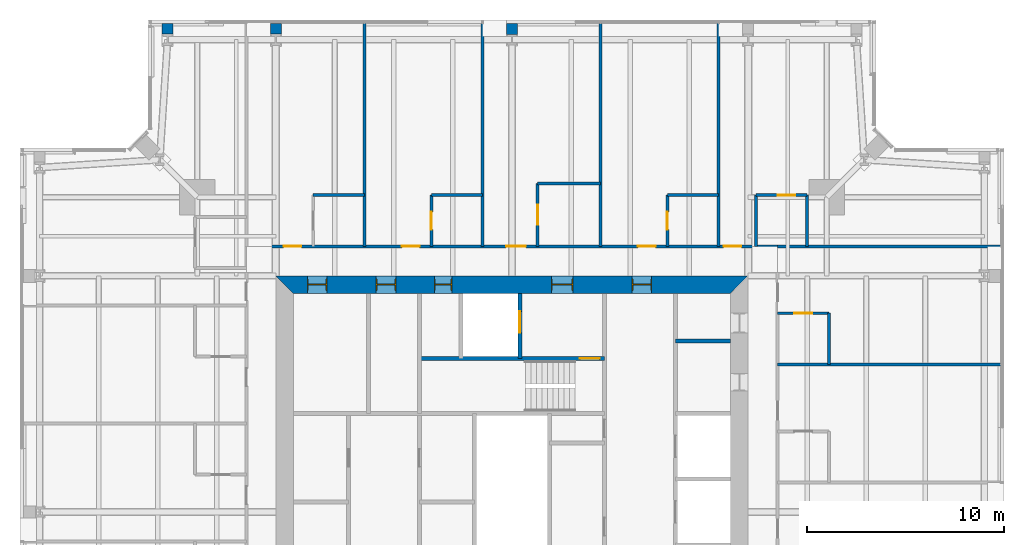
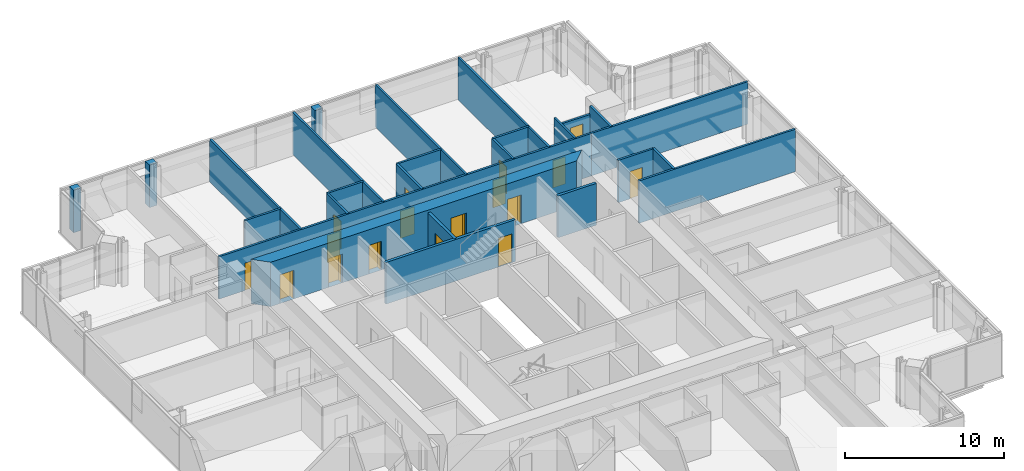
# One storey, part 14 of 20: 26 walls, 17 doors, 17 openings.
"""IFC4 building model written with IfcOpenShell, lengths in metres."""

from ifc_helpers import new_model, si_unit, direction, frame, frame_2d, origin, place, context, subcontext, project, spatial, polyline, rectangle, outline, extrude, material, layer, layer_set, type_object, element, fill, save


model = new_model("IFC4")

# Units and contexts
model_context = context("Model", 3, precision=1e-05, world=origin(), true_north=direction((0.0, 1.0)))
body_context = subcontext(model_context, "Body", "Model", "MODEL_VIEW")
ifc_project = project(units=[si_unit("LENGTHUNIT", "METRE"), si_unit("AREAUNIT", "SQUARE_METRE"), si_unit("VOLUMEUNIT", "CUBIC_METRE"), si_unit("PLANEANGLEUNIT", "RADIAN"), si_unit("MASSUNIT", "GRAM", prefix="KILO")], contexts=[model_context])

# Site, building, storey
site_placement = place(None, origin())
site = spatial("IfcSite", under=ifc_project, at=site_placement, CompositionType="ELEMENT")
building_placement = place(site_placement, origin())
building = spatial("IfcBuilding", under=site, at=building_placement, Name="Fenwick Lantern Interchange", CompositionType="ELEMENT")
storey_placement = place(building_placement, frame((0.0, 0.0, 252.60009765625)))
storey = spatial("IfcBuildingStorey", under=building, at=storey_placement, Name="L59", CompositionType="ELEMENT", Elevation=252.60009765625)

# Walls
ifc_material_1 = material(Name="Fire-rated gypsum board encasement on steel studs, 2 hour", Category="steel")
ifc_layer_1 = layer(ifc_material_1, 0.5419921875)
ifc_layer_set_1 = layer_set([ifc_layer_1], Name="COLUMN PIER 542")
wall_type_1 = type_object("IfcWallType", Name="COLUMN PIER 542", PredefinedType="PARTITIONING", material=ifc_layer_set_1)
wall_1_placement = place(storey_placement, frame((25.0, 49.81005859375, 0.0), z_axis=(0.0, 0.0, 1.0), x_axis=(0.0, -1.0, 0.0)))
element("IfcWall", 1, at=wall_1_placement, inside=storey, type_object=wall_type_1, Name="L59/W/PIER/CN3", PredefinedType="PARTITIONING", context=body_context, shape_type="SweptSolid", body=[
    extrude(rectangle(XDim=0.544677734375, YDim=0.5419921875, at=frame_2d((0.2724609375, 0.0))), origin(), (0.0, 0.0, 1.0), 3.25),
])
ifc_layer_2 = layer(ifc_material_1, 0.554931640625)
ifc_layer_set_2 = layer_set([ifc_layer_2], Name="COLUMN PIER 555")
wall_type_2 = type_object("IfcWallType", Name="COLUMN PIER 555", PredefinedType="PARTITIONING", material=ifc_layer_set_2)
for number, where, z_axis, x_axis, name in (
    (2, (13.0, 49.81005859375, 0.0), (0.0, 0.0, 1.0), (0.0, -1.0, 0.0), "L59/W/PIER/CN4"),
    (3, (7.5, 49.81005859375, 0.0), (0.0, 0.0, 1.0), (0.0, -1.0, 0.0), "L59/W/PIER/CN5"),
):
    element("IfcWall", number, at=place(storey_placement, frame(where, z_axis=z_axis, x_axis=x_axis)), inside=storey, type_object=wall_type_2, Name=name, PredefinedType="PARTITIONING", context=body_context, shape_type="SweptSolid", body=[
        extrude(rectangle(XDim=0.525634765625, YDim=0.554931640625, at=frame_2d((0.2626953125, 0.0))), origin(), (0.0, 0.0, 1.0), 3.25),
    ])

# Wall, opening, door
ifc_material_2 = material(Name="Concrete masonry ASTM C90 Grade N", Category="masonry")
ifc_layer_3 = layer(ifc_material_2, 0.199951171875)
ifc_layer_set_3 = layer_set([ifc_layer_3], Name="Concrete masonry ASTM C90 Grade N")
wall_type_3 = type_object("IfcWallType", Name="CORE PARTITION 200", PredefinedType="PARTITIONING", material=ifc_layer_set_3)
wall_2_placement = place(storey_placement, frame((25.39990234375, 36.10009765625, 0.0), z_axis=(0.0, 0.0, 1.0), x_axis=(0.0, -1.0, 0.0)))
wall_2 = element("IfcWall", 4, at=wall_2_placement, inside=storey, type_object=wall_type_3, Name="L59/W/COREN/h1", PredefinedType="PARTITIONING", context=body_context, shape_type="SweptSolid", body=[
    extrude(rectangle(XDim=3.300048828125, YDim=0.199951171875, at=frame_2d((1.64990234375, 0.0))), origin(), (0.0, 0.0, 1.0), 3.199951171875),
])
opening_1_placement = place(wall_2_placement, frame((0.89990234375, 0.0, 0.0)))
opening_1 = element("IfcOpeningElement", 5, at=opening_1_placement, cuts=wall_2, Name="Opening LD-FL2", PredefinedType="OPENING", context=body_context, shape_type="SweptSolid", body=[
    extrude(rectangle(XDim=1.10009765625, YDim=2.199951171875, at=frame_2d((0.550048828125, 1.10009765625))), frame((0.0, 0.10986328125, 0.0), z_axis=(0.0, -1.0, 0.0), x_axis=(1.0, 0.0, 0.0)), (0.0, 0.0, 1.0), 0.219970703125),
])
ifc_material_3 = material(Name="Steel door and frame", Category="steel")
door_type_1 = type_object("IfcDoorType", Name="LIFT LANDING DOOR 1100 X 2200", OperationType="DOUBLE_DOOR_SLIDING", PredefinedType="DOOR", material=ifc_material_3)
door_1_placement = place(opening_1_placement, origin())
door_1 = element("IfcDoor", 6, at=door_1_placement, inside=storey, type_object=door_type_1, Name="Lift landing door FL2", OperationType="DOUBLE_DOOR_SLIDING", OverallHeight=2.199951171875, OverallWidth=1.10009765625, PredefinedType="DOOR", context=body_context, shape_type="SweptSolid", body=[
    extrude(rectangle(XDim=1.10009765625, YDim=2.199951171875, at=frame_2d((0.550048828125, 1.10009765625))), frame((0.0, 0.02490234375, 0.0), z_axis=(0.0, -1.0, 0.0), x_axis=(1.0, 0.0, 0.0)), (0.0, 0.0, 1.0), 0.050048828125),
])
fill(opening_1, door_1)

# Wall
wall_3_placement = place(storey_placement, frame((36.10009765625, 33.699951171875, 0.0), z_axis=(0.0, 0.0, 1.0), x_axis=(-1.0, 0.0, 0.0)))
element("IfcWall", 7, at=wall_3_placement, inside=storey, type_object=wall_type_3, Name="L59/W/COREN/p1", PredefinedType="PARTITIONING", context=body_context, shape_type="SweptSolid", body=[
    extrude(rectangle(XDim=2.800048828125, YDim=0.199951171875, at=frame_2d((1.39990234375, 0.0))), origin(), (0.0, 0.0, 1.0), 3.199951171875),
])

# Wall, openings, doors
ifc_material_4 = material(Name="Concrete f'c 70 MPa", Category="concrete")
ifc_layer_4 = layer(ifc_material_4, 0.89990234375)
ifc_layer_set_4 = layer_set([ifc_layer_4], Name="CORE WALL 900")
wall_type_4 = type_object("IfcWallType", Name="CORE WALL 900", PredefinedType="SHEAR", material=ifc_layer_set_4)
wall_4_placement = place(storey_placement, frame((37.0, 36.550048828125, 0.0), z_axis=(0.0, 0.0, 1.0), x_axis=(-1.0, 0.0, 0.0)))
wall_4 = element("IfcWall", 8, at=wall_4_placement, inside=storey, type_object=wall_type_4, Name="L59/CORE/N", PredefinedType="SHEAR", context=body_context, shape_type="SweptSolid", body=[
    extrude(outline(polyline([(0.0, -0.449951171875), (24.0, -0.449951171875), (23.10009765625, 0.449951171875), (0.89990234375, 0.449951171875), (0.0, -0.449951171875)])), origin(), (0.0, 0.0, 1.0), 3.39990234375),
])
opening_2_placement = place(wall_4_placement, frame((4.89990234375, 0.0, 0.0)))
opening_2 = element("IfcOpeningElement", 9, at=opening_2_placement, cuts=wall_4, Name="Opening L59-D012", PredefinedType="OPENING", context=body_context, shape_type="SweptSolid", body=[
    extrude(rectangle(XDim=1.0, YDim=2.199951171875, at=frame_2d((0.5, 1.10009765625))), frame((0.0, 0.4599609375, 0.0), z_axis=(0.0, -1.0, 0.0), x_axis=(1.0, 0.0, 0.0)), (0.0, 0.0, 1.0), 0.919921875),
])
opening_3_placement = place(wall_4_placement, frame((8.89990234375, 0.0, 0.0)))
opening_3 = element("IfcOpeningElement", 10, at=opening_3_placement, cuts=wall_4, Name="Opening L59-D013", PredefinedType="OPENING", context=body_context, shape_type="SweptSolid", body=[
    extrude(rectangle(XDim=1.10009765625, YDim=2.199951171875, at=frame_2d((0.550048828125, 1.10009765625))), frame((0.0, 0.4599609375, 0.0), z_axis=(0.0, -1.0, 0.0), x_axis=(1.0, 0.0, 0.0)), (0.0, 0.0, 1.0), 0.919921875),
])
opening_4_placement = place(wall_4_placement, frame((15.050048828125, 0.0, 0.0)))
opening_4 = element("IfcOpeningElement", 11, at=opening_4_placement, cuts=wall_4, Name="Opening L59-D015", PredefinedType="OPENING", context=body_context, shape_type="SweptSolid", body=[
    extrude(rectangle(XDim=0.89990234375, YDim=2.199951171875, at=frame_2d((0.449951171875, 1.10009765625))), frame((0.0, 0.4599609375, 0.0), z_axis=(0.0, -1.0, 0.0), x_axis=(1.0, 0.0, 0.0)), (0.0, 0.0, 1.0), 0.919921875),
])
opening_5_placement = place(wall_4_placement, frame((17.89990234375, 0.0, 0.0)))
opening_5 = element("IfcOpeningElement", 12, at=opening_5_placement, cuts=wall_4, Name="Opening L59-D016", PredefinedType="OPENING", context=body_context, shape_type="SweptSolid", body=[
    extrude(rectangle(XDim=1.0, YDim=2.199951171875, at=frame_2d((0.5, 1.10009765625))), frame((0.0, 0.4599609375, 0.0), z_axis=(0.0, -1.0, 0.0), x_axis=(1.0, 0.0, 0.0)), (0.0, 0.0, 1.0), 0.919921875),
])
opening_6_placement = place(wall_4_placement, frame((21.39990234375, 0.0, 0.0)))
opening_6 = element("IfcOpeningElement", 13, at=opening_6_placement, cuts=wall_4, Name="Opening L59-D017", PredefinedType="OPENING", context=body_context, shape_type="SweptSolid", body=[
    extrude(rectangle(XDim=1.0, YDim=2.199951171875, at=frame_2d((0.5, 1.10009765625))), frame((0.0, 0.4599609375, 0.0), z_axis=(0.0, -1.0, 0.0), x_axis=(1.0, 0.0, 0.0)), (0.0, 0.0, 1.0), 0.919921875),
])
door_type_2 = type_object("IfcDoorType", Name="CORE LOBBY DOOR 1000 X 2200", OperationType="SINGLE_SWING_LEFT", PredefinedType="DOOR", material=ifc_material_3)
door_2_placement = place(opening_2_placement, origin())
door_2 = element("IfcDoor", 14, at=door_2_placement, inside=storey, type_object=door_type_2, Name="Core lobby door", OperationType="SINGLE_SWING_LEFT", OverallHeight=2.199951171875, OverallWidth=1.0, PredefinedType="DOOR", context=body_context, shape_type="SweptSolid", body=[
    extrude(rectangle(XDim=1.0, YDim=2.199951171875, at=frame_2d((0.5, 1.10009765625))), frame((0.0, 0.02490234375, 0.0), z_axis=(0.0, -1.0, 0.0), x_axis=(1.0, 0.0, 0.0)), (0.0, 0.0, 1.0), 0.050048828125),
    extrude(outline(polyline([(0.0, 0.0), (0.0400390625, 0.0), (0.0400390625, 2.159912109375), (0.9599609375, 2.159912109375), (0.9599609375, 0.0), (1.0, 0.0), (1.0, 2.199951171875), (0.0, 2.199951171875), (0.0, 0.0)])), frame((0.0, 0.300048828125, 0.0), z_axis=(0.0, -1.0, 0.0), x_axis=(1.0, 0.0, 0.0)), (0.0, 0.0, 1.0), 0.60009765625),
])
fill(opening_2, door_2)
door_type_3 = type_object("IfcDoorType", Name="FIRE LOBBY DOOR 1100 X 2200", OperationType="SINGLE_SWING_LEFT", PredefinedType="DOOR", material=ifc_material_3)
door_3_placement = place(opening_3_placement, origin())
door_3 = element("IfcDoor", 15, at=door_3_placement, inside=storey, type_object=door_type_3, Name="Fire lobby door", OperationType="SINGLE_SWING_LEFT", OverallHeight=2.199951171875, OverallWidth=1.10009765625, PredefinedType="DOOR", context=body_context, shape_type="SweptSolid", body=[
    extrude(rectangle(XDim=1.10009765625, YDim=2.199951171875, at=frame_2d((0.550048828125, 1.10009765625))), frame((0.0, 0.02490234375, 0.0), z_axis=(0.0, -1.0, 0.0), x_axis=(1.0, 0.0, 0.0)), (0.0, 0.0, 1.0), 0.050048828125),
    extrude(outline(polyline([(0.0, 0.0), (0.0400390625, 0.0), (0.0400390625, 2.159912109375), (1.06005859375, 2.159912109375), (1.06005859375, 0.0), (1.10009765625, 0.0), (1.10009765625, 2.199951171875), (0.0, 2.199951171875), (0.0, 0.0)])), frame((0.0, 0.300048828125, 0.0), z_axis=(0.0, -1.0, 0.0), x_axis=(1.0, 0.0, 0.0)), (0.0, 0.0, 1.0), 0.60009765625),
])
fill(opening_3, door_3)
door_type_4 = type_object("IfcDoorType", Name="SERVICE DOOR 900 X 2200", OperationType="SINGLE_SWING_LEFT", PredefinedType="DOOR", material=ifc_material_3)
door_4_placement = place(opening_4_placement, origin())
door_4 = element("IfcDoor", 16, at=door_4_placement, inside=storey, type_object=door_type_4, Name="Service door", OperationType="SINGLE_SWING_LEFT", OverallHeight=2.199951171875, OverallWidth=0.89990234375, PredefinedType="DOOR", context=body_context, shape_type="SweptSolid", body=[
    extrude(rectangle(XDim=0.89990234375, YDim=2.199951171875, at=frame_2d((0.449951171875, 1.10009765625))), frame((0.0, 0.02490234375, 0.0), z_axis=(0.0, -1.0, 0.0), x_axis=(1.0, 0.0, 0.0)), (0.0, 0.0, 1.0), 0.050048828125),
    extrude(outline(polyline([(0.0, 0.0), (0.0400390625, 0.0), (0.0400390625, 2.159912109375), (0.85986328125, 2.159912109375), (0.85986328125, 0.0), (0.89990234375, 0.0), (0.89990234375, 2.199951171875), (0.0, 2.199951171875), (0.0, 0.0)])), frame((0.0, 0.300048828125, 0.0), z_axis=(0.0, -1.0, 0.0), x_axis=(1.0, 0.0, 0.0)), (0.0, 0.0, 1.0), 0.60009765625),
])
fill(opening_4, door_4)
ifc_material_5 = material(Name="Hardwood door and steel frame", Category="steel")
door_type_5 = type_object("IfcDoorType", Name="WC DOOR 1000 X 2200", OperationType="SINGLE_SWING_LEFT", PredefinedType="DOOR", material=ifc_material_5)
door_5_placement = place(opening_5_placement, origin())
door_5 = element("IfcDoor", 17, at=door_5_placement, inside=storey, type_object=door_type_5, Name="Wc door", OperationType="SINGLE_SWING_RIGHT", OverallHeight=2.199951171875, OverallWidth=1.0, PredefinedType="DOOR", context=body_context, shape_type="SweptSolid", body=[
    extrude(rectangle(XDim=1.0, YDim=2.199951171875, at=frame_2d((0.5, 1.10009765625))), frame((0.0, 0.02490234375, 0.0), z_axis=(0.0, -1.0, 0.0), x_axis=(1.0, 0.0, 0.0)), (0.0, 0.0, 1.0), 0.050048828125),
    extrude(outline(polyline([(0.0, 0.0), (0.0400390625, 0.0), (0.0400390625, 2.159912109375), (0.9599609375, 2.159912109375), (0.9599609375, 0.0), (1.0, 0.0), (1.0, 2.199951171875), (0.0, 2.199951171875), (0.0, 0.0)])), frame((0.0, 0.300048828125, 0.0), z_axis=(0.0, -1.0, 0.0), x_axis=(1.0, 0.0, 0.0)), (0.0, 0.0, 1.0), 0.60009765625),
])
fill(opening_5, door_5)
door_6_placement = place(opening_6_placement, origin())
door_6 = element("IfcDoor", 18, at=door_6_placement, inside=storey, type_object=door_type_5, Name="Wc door", OperationType="SINGLE_SWING_RIGHT", OverallHeight=2.199951171875, OverallWidth=1.0, PredefinedType="DOOR", context=body_context, shape_type="SweptSolid", body=[
    extrude(rectangle(XDim=1.0, YDim=2.199951171875, at=frame_2d((0.5, 1.10009765625))), frame((0.0, 0.02490234375, 0.0), z_axis=(0.0, -1.0, 0.0), x_axis=(1.0, 0.0, 0.0)), (0.0, 0.0, 1.0), 0.050048828125),
    extrude(outline(polyline([(0.0, 0.0), (0.0400390625, 0.0), (0.0400390625, 2.159912109375), (0.9599609375, 2.159912109375), (0.9599609375, 0.0), (1.0, 0.0), (1.0, 2.199951171875), (0.0, 2.199951171875), (0.0, 0.0)])), frame((0.0, 0.300048828125, 0.0), z_axis=(0.0, -1.0, 0.0), x_axis=(1.0, 0.0, 0.0)), (0.0, 0.0, 1.0), 0.60009765625),
])
fill(opening_6, door_6)

ifc_material_6 = material(Name="Gypsum board on steel studs, 1 hour", Category="steel")
ifc_layer_5 = layer(ifc_material_6, 0.14990234375)
ifc_layer_set_5 = layer_set([ifc_layer_5], Name="CORRIDOR WALL 150")
wall_type_5 = type_object("IfcWallType", Name="CORRIDOR WALL 150", PredefinedType="PARTITIONING", material=ifc_layer_set_5)
wall_5_placement = place(storey_placement, frame((38.5, 38.5, 0.0), z_axis=(0.0, 0.0, 1.0), x_axis=(-1.0, 0.0, 0.0)))
wall_5 = element("IfcWall", 19, at=wall_5_placement, inside=storey, type_object=wall_type_5, Name="L59/W/HOTEL/N/CW", PredefinedType="PARTITIONING", context=body_context, shape_type="SweptSolid", body=[
    extrude(rectangle(XDim=27.0, YDim=0.14990234375, at=frame_2d((13.5, 0.0))), origin(), (0.0, 0.0, 1.0), 3.25),
])
opening_7_placement = place(wall_5_placement, frame((1.85009765625, 0.0, 0.0)))
opening_7 = element("IfcOpeningElement", 20, at=opening_7_placement, cuts=wall_5, Name="Opening L59-D042", PredefinedType="OPENING", context=body_context, shape_type="SweptSolid", body=[
    extrude(rectangle(XDim=0.89990234375, YDim=2.10009765625, at=frame_2d((0.449951171875, 1.050048828125))), frame((0.0, 0.0849609375, 0.0), z_axis=(0.0, -1.0, 0.0), x_axis=(1.0, 0.0, 0.0)), (0.0, 0.0, 1.0), 0.169921875),
])
opening_8_placement = place(wall_5_placement, frame((6.199951171875, 0.0, 0.0)))
opening_8 = element("IfcOpeningElement", 21, at=opening_8_placement, cuts=wall_5, Name="Opening L59-D045", PredefinedType="OPENING", context=body_context, shape_type="SweptSolid", body=[
    extrude(rectangle(XDim=0.89990234375, YDim=2.10009765625, at=frame_2d((0.449951171875, 1.050048828125))), frame((0.0, 0.0849609375, 0.0), z_axis=(0.0, -1.0, 0.0), x_axis=(1.0, 0.0, 0.0)), (0.0, 0.0, 1.0), 0.169921875),
])
opening_9_placement = place(wall_5_placement, frame((12.800048828125, 0.0, 0.0)))
opening_9 = element("IfcOpeningElement", 22, at=opening_9_placement, cuts=wall_5, Name="Opening L59-D047", PredefinedType="OPENING", context=body_context, shape_type="SweptSolid", body=[
    extrude(rectangle(XDim=1.0, YDim=2.10009765625, at=frame_2d((0.5, 1.050048828125))), frame((0.0, 0.0849609375, 0.0), z_axis=(0.0, -1.0, 0.0), x_axis=(1.0, 0.0, 0.0)), (0.0, 0.0, 1.0), 0.169921875),
])
opening_10_placement = place(wall_5_placement, frame((18.199951171875, 0.0, 0.0)))
opening_10 = element("IfcOpeningElement", 23, at=opening_10_placement, cuts=wall_5, Name="Opening L59-D049", PredefinedType="OPENING", context=body_context, shape_type="SweptSolid", body=[
    extrude(rectangle(XDim=0.89990234375, YDim=2.10009765625, at=frame_2d((0.449951171875, 1.050048828125))), frame((0.0, 0.0849609375, 0.0), z_axis=(0.0, -1.0, 0.0), x_axis=(1.0, 0.0, 0.0)), (0.0, 0.0, 1.0), 0.169921875),
])
opening_11_placement = place(wall_5_placement, frame((24.199951171875, 0.0, 0.0)))
opening_11 = element("IfcOpeningElement", 24, at=opening_11_placement, cuts=wall_5, Name="Opening L59-D051", PredefinedType="OPENING", context=body_context, shape_type="SweptSolid", body=[
    extrude(rectangle(XDim=0.89990234375, YDim=2.10009765625, at=frame_2d((0.449951171875, 1.050048828125))), frame((0.0, 0.0849609375, 0.0), z_axis=(0.0, -1.0, 0.0), x_axis=(1.0, 0.0, 0.0)), (0.0, 0.0, 1.0), 0.169921875),
])
door_type_6 = type_object("IfcDoorType", Name="GUEST ROOM DOOR 1000 X 2100", OperationType="SINGLE_SWING_LEFT", PredefinedType="DOOR", material=ifc_material_3)
door_7_placement = place(opening_9_placement, frame((1.0, 0.0, 0.0), z_axis=(0.0, 0.0, 1.0), x_axis=(-1.0, 0.0, 0.0)))
door_7 = element("IfcDoor", 25, at=door_7_placement, inside=storey, type_object=door_type_6, Name="Guest room door", OperationType="SINGLE_SWING_RIGHT", OverallHeight=2.10009765625, OverallWidth=1.0, PredefinedType="DOOR", context=body_context, shape_type="SweptSolid", body=[
    extrude(rectangle(XDim=1.0, YDim=2.10009765625, at=frame_2d((0.5, 1.050048828125))), frame((0.0, 0.02490234375, 0.0), z_axis=(0.0, -1.0, 0.0), x_axis=(1.0, 0.0, 0.0)), (0.0, 0.0, 1.0), 0.050048828125),
])
fill(opening_9, door_7)
door_type_7 = type_object("IfcDoorType", Name="GUEST ROOM DOOR 900 X 2100", OperationType="SINGLE_SWING_LEFT", PredefinedType="DOOR", material=ifc_material_3)
door_8_placement = place(opening_7_placement, frame((0.89990234375, 0.0, 0.0), z_axis=(0.0, 0.0, 1.0), x_axis=(-1.0, 0.0, 0.0)))
door_8 = element("IfcDoor", 26, at=door_8_placement, inside=storey, type_object=door_type_7, Name="Guest room door", OperationType="SINGLE_SWING_LEFT", OverallHeight=2.10009765625, OverallWidth=0.89990234375, PredefinedType="DOOR", context=body_context, shape_type="SweptSolid", body=[
    extrude(rectangle(XDim=0.89990234375, YDim=2.10009765625, at=frame_2d((0.449951171875, 1.050048828125))), frame((0.0, 0.02490234375, 0.0), z_axis=(0.0, -1.0, 0.0), x_axis=(1.0, 0.0, 0.0)), (0.0, 0.0, 1.0), 0.050048828125),
])
fill(opening_7, door_8)
door_9_placement = place(opening_8_placement, frame((0.89990234375, 0.0, 0.0), z_axis=(0.0, 0.0, 1.0), x_axis=(-1.0, 0.0, 0.0)))
door_9 = element("IfcDoor", 27, at=door_9_placement, inside=storey, type_object=door_type_7, Name="Guest room door", OperationType="SINGLE_SWING_RIGHT", OverallHeight=2.10009765625, OverallWidth=0.89990234375, PredefinedType="DOOR", context=body_context, shape_type="SweptSolid", body=[
    extrude(rectangle(XDim=0.89990234375, YDim=2.10009765625, at=frame_2d((0.449951171875, 1.050048828125))), frame((0.0, 0.02490234375, 0.0), z_axis=(0.0, -1.0, 0.0), x_axis=(1.0, 0.0, 0.0)), (0.0, 0.0, 1.0), 0.050048828125),
])
fill(opening_8, door_9)
door_10_placement = place(opening_10_placement, frame((0.89990234375, 0.0, 0.0), z_axis=(0.0, 0.0, 1.0), x_axis=(-1.0, 0.0, 0.0)))
door_10 = element("IfcDoor", 28, at=door_10_placement, inside=storey, type_object=door_type_7, Name="Guest room door", OperationType="SINGLE_SWING_RIGHT", OverallHeight=2.10009765625, OverallWidth=0.89990234375, PredefinedType="DOOR", context=body_context, shape_type="SweptSolid", body=[
    extrude(rectangle(XDim=0.89990234375, YDim=2.10009765625, at=frame_2d((0.449951171875, 1.050048828125))), frame((0.0, 0.02490234375, 0.0), z_axis=(0.0, -1.0, 0.0), x_axis=(1.0, 0.0, 0.0)), (0.0, 0.0, 1.0), 0.050048828125),
])
fill(opening_10, door_10)
door_11_placement = place(opening_11_placement, frame((0.89990234375, 0.0, 0.0), z_axis=(0.0, 0.0, 1.0), x_axis=(-1.0, 0.0, 0.0)))
door_11 = element("IfcDoor", 29, at=door_11_placement, inside=storey, type_object=door_type_7, Name="Guest room door", OperationType="SINGLE_SWING_RIGHT", OverallHeight=2.10009765625, OverallWidth=0.89990234375, PredefinedType="DOOR", context=body_context, shape_type="SweptSolid", body=[
    extrude(rectangle(XDim=0.89990234375, YDim=2.10009765625, at=frame_2d((0.449951171875, 1.050048828125))), frame((0.0, 0.02490234375, 0.0), z_axis=(0.0, -1.0, 0.0), x_axis=(1.0, 0.0, 0.0)), (0.0, 0.0, 1.0), 0.050048828125),
])
fill(opening_11, door_11)

# Wall
ifc_material_7 = material(Name="Gypsum board on steel studs, moisture resistant", Category="steel")
ifc_layer_6 = layer(ifc_material_7, 0.14990234375)
ifc_layer_set_6 = layer_set([ifc_layer_6], Name="EN-SUITE WALL 150")
wall_type_6 = type_object("IfcWallType", Name="EN-SUITE WALL 150", PredefinedType="PARTITIONING", material=ifc_layer_set_6)
wall_6_placement = place(storey_placement, frame((41.10009765625, 32.5, 0.0), z_axis=(0.0, 0.0, 1.0), x_axis=(0.0, 1.0, 0.0)))
element("IfcWall", 30, at=wall_6_placement, inside=storey, type_object=wall_type_6, Name="L59/W/HOTEL/E/U5BW", PredefinedType="PARTITIONING", context=body_context, shape_type="SweptSolid", body=[
    extrude(rectangle(XDim=2.60009765625, YDim=0.14990234375, at=frame_2d((1.300048828125, 0.0))), origin(), (0.0, 0.0, 1.0), 3.25),
])

# Wall, opening, door
wall_7_placement = place(storey_placement, frame((41.10009765625, 35.10009765625, 0.0), z_axis=(0.0, 0.0, 1.0), x_axis=(-1.0, 0.0, 0.0)))
wall_7 = element("IfcWall", 31, at=wall_7_placement, inside=storey, type_object=wall_type_6, Name="L59/W/HOTEL/E/U5BX", PredefinedType="PARTITIONING", context=body_context, shape_type="SweptSolid", body=[
    extrude(rectangle(XDim=2.60009765625, YDim=0.14990234375, at=frame_2d((1.300048828125, 0.0))), origin(), (0.0, 0.0, 1.0), 3.25),
])
opening_12_placement = place(wall_7_placement, frame((0.85009765625, 0.0, 0.0)))
opening_12 = element("IfcOpeningElement", 32, at=opening_12_placement, cuts=wall_7, Name="Opening L59-D040", PredefinedType="OPENING", context=body_context, shape_type="SweptSolid", body=[
    extrude(rectangle(XDim=0.89990234375, YDim=2.10009765625, at=frame_2d((0.449951171875, 1.050048828125))), frame((0.0, 0.0849609375, 0.0), z_axis=(0.0, -1.0, 0.0), x_axis=(1.0, 0.0, 0.0)), (0.0, 0.0, 1.0), 0.169921875),
])
door_type_8 = type_object("IfcDoorType", Name="EN-SUITE DOOR 900 X 2100", OperationType="SINGLE_SWING_LEFT", PredefinedType="DOOR", material=ifc_material_5)
door_12_placement = place(opening_12_placement, origin())
door_12 = element("IfcDoor", 33, at=door_12_placement, inside=storey, type_object=door_type_8, Name="En-suite door", OperationType="SINGLE_SWING_LEFT", OverallHeight=2.10009765625, OverallWidth=0.89990234375, PredefinedType="DOOR", context=body_context, shape_type="SweptSolid", body=[
    extrude(rectangle(XDim=0.89990234375, YDim=2.10009765625, at=frame_2d((0.449951171875, 1.050048828125))), frame((0.0, 0.02490234375, 0.0), z_axis=(0.0, -1.0, 0.0), x_axis=(1.0, 0.0, 0.0)), (0.0, 0.0, 1.0), 0.050048828125),
])
fill(opening_12, door_12)

wall_8_placement = place(storey_placement, frame((40.0, 41.10009765625, 0.0), z_axis=(0.0, 0.0, 1.0), x_axis=(-1.0, 0.0, 0.0)))
wall_8 = element("IfcWall", 34, at=wall_8_placement, inside=storey, type_object=wall_type_6, Name="L59/W/HOTEL/N/U1BW", PredefinedType="PARTITIONING", context=body_context, shape_type="SweptSolid", body=[
    extrude(rectangle(XDim=2.60009765625, YDim=0.14990234375, at=frame_2d((1.300048828125, 0.0))), origin(), (0.0, 0.0, 1.0), 2.6376953125),
])
opening_13_placement = place(wall_8_placement, frame((0.60009765625, 0.0, 0.0)))
opening_13 = element("IfcOpeningElement", 35, at=opening_13_placement, cuts=wall_8, Name="Opening L59-D043", PredefinedType="OPENING", context=body_context, shape_type="SweptSolid", body=[
    extrude(rectangle(XDim=0.89990234375, YDim=2.10009765625, at=frame_2d((0.449951171875, 1.050048828125))), frame((0.0, 0.0849609375, 0.0), z_axis=(0.0, -1.0, 0.0), x_axis=(1.0, 0.0, 0.0)), (0.0, 0.0, 1.0), 0.169921875),
])
door_13_placement = place(opening_13_placement, origin())
door_13 = element("IfcDoor", 36, at=door_13_placement, inside=storey, type_object=door_type_8, Name="En-suite door", OperationType="SINGLE_SWING_LEFT", OverallHeight=2.10009765625, OverallWidth=0.89990234375, PredefinedType="DOOR", context=body_context, shape_type="SweptSolid", body=[
    extrude(rectangle(XDim=0.89990234375, YDim=2.10009765625, at=frame_2d((0.449951171875, 1.050048828125))), frame((0.0, 0.02490234375, 0.0), z_axis=(0.0, -1.0, 0.0), x_axis=(1.0, 0.0, 0.0)), (0.0, 0.0, 1.0), 0.050048828125),
])
fill(opening_13, door_13)

# Walls
for number, where, z_axis, x_axis, name in (
    (37, (40.0, 41.10009765625, 0.0), (0.0, 0.0, 1.0), (0.0, -1.0, 0.0), "L59/W/HOTEL/N/U1BX"),
    (38, (37.39990234375, 41.10009765625, 0.0), (0.0, 0.0, 1.0), (0.0, -1.0, 0.0), "L59/W/HOTEL/N/U1BE"),
    (39, (35.5, 41.10009765625, 0.0), (0.0, 0.0, 1.0), (-1.0, 0.0, 0.0), "L59/W/HOTEL/N/U2BW"),
):
    element("IfcWall", number, at=place(storey_placement, frame(where, z_axis=z_axis, x_axis=x_axis)), inside=storey, type_object=wall_type_6, Name=name, PredefinedType="PARTITIONING", context=body_context, shape_type="SweptSolid", body=[
        extrude(rectangle(XDim=2.60009765625, YDim=0.14990234375, at=frame_2d((1.300048828125, 0.0))), origin(), (0.0, 0.0, 1.0), 3.25),
    ])

# Wall, opening, door
wall_9_placement = place(storey_placement, frame((32.89990234375, 41.10009765625, 0.0), z_axis=(0.0, 0.0, 1.0), x_axis=(0.0, -1.0, 0.0)))
wall_9 = element("IfcWall", 40, at=wall_9_placement, inside=storey, type_object=wall_type_6, Name="L59/W/HOTEL/N/U2BX", PredefinedType="PARTITIONING", context=body_context, shape_type="SweptSolid", body=[
    extrude(rectangle(XDim=2.60009765625, YDim=0.14990234375, at=frame_2d((1.300048828125, 0.0))), origin(), (0.0, 0.0, 1.0), 3.25),
])
opening_14_placement = place(wall_9_placement, frame((0.85009765625, 0.0, 0.0)))
opening_14 = element("IfcOpeningElement", 41, at=opening_14_placement, cuts=wall_9, Name="Opening L59-D044", PredefinedType="OPENING", context=body_context, shape_type="SweptSolid", body=[
    extrude(rectangle(XDim=0.89990234375, YDim=2.10009765625, at=frame_2d((0.449951171875, 1.050048828125))), frame((0.0, 0.0849609375, 0.0), z_axis=(0.0, -1.0, 0.0), x_axis=(1.0, 0.0, 0.0)), (0.0, 0.0, 1.0), 0.169921875),
])
door_14_placement = place(opening_14_placement, origin())
door_14 = element("IfcDoor", 42, at=door_14_placement, inside=storey, type_object=door_type_8, Name="En-suite door", OperationType="SINGLE_SWING_LEFT", OverallHeight=2.10009765625, OverallWidth=0.89990234375, PredefinedType="DOOR", context=body_context, shape_type="SweptSolid", body=[
    extrude(rectangle(XDim=0.89990234375, YDim=2.10009765625, at=frame_2d((0.449951171875, 1.050048828125))), frame((0.0, 0.02490234375, 0.0), z_axis=(0.0, -1.0, 0.0), x_axis=(1.0, 0.0, 0.0)), (0.0, 0.0, 1.0), 0.050048828125),
])
fill(opening_14, door_14)

# Wall
wall_10_placement = place(storey_placement, frame((29.5, 41.699951171875, 0.0), z_axis=(0.0, 0.0, 1.0), x_axis=(-1.0, 0.0, 0.0)))
element("IfcWall", 43, at=wall_10_placement, inside=storey, type_object=wall_type_6, Name="L59/W/HOTEL/N/U3BW", PredefinedType="PARTITIONING", context=body_context, shape_type="SweptSolid", body=[
    extrude(rectangle(XDim=3.199951171875, YDim=0.14990234375, at=frame_2d((1.60009765625, 0.0))), origin(), (0.0, 0.0, 1.0), 3.25),
])

# Wall, opening, door
wall_11_placement = place(storey_placement, frame((26.300048828125, 41.699951171875, 0.0), z_axis=(0.0, 0.0, 1.0), x_axis=(0.0, -1.0, 0.0)))
wall_11 = element("IfcWall", 44, at=wall_11_placement, inside=storey, type_object=wall_type_6, Name="L59/W/HOTEL/N/U3BX", PredefinedType="PARTITIONING", context=body_context, shape_type="SweptSolid", body=[
    extrude(rectangle(XDim=3.199951171875, YDim=0.14990234375, at=frame_2d((1.60009765625, 0.0))), origin(), (0.0, 0.0, 1.0), 3.25),
])
opening_15_placement = place(wall_11_placement, frame((1.10009765625, 0.0, 0.0)))
opening_15 = element("IfcOpeningElement", 45, at=opening_15_placement, cuts=wall_11, Name="Opening L59-D046", PredefinedType="OPENING", context=body_context, shape_type="SweptSolid", body=[
    extrude(rectangle(XDim=1.0, YDim=2.10009765625, at=frame_2d((0.5, 1.050048828125))), frame((0.0, 0.0849609375, 0.0), z_axis=(0.0, -1.0, 0.0), x_axis=(1.0, 0.0, 0.0)), (0.0, 0.0, 1.0), 0.169921875),
])
door_type_9 = type_object("IfcDoorType", Name="EN-SUITE DOOR 1000 X 2100", OperationType="SINGLE_SWING_LEFT", PredefinedType="DOOR", material=ifc_material_5)
door_15_placement = place(opening_15_placement, origin())
door_15 = element("IfcDoor", 46, at=door_15_placement, inside=storey, type_object=door_type_9, Name="En-suite door", OperationType="SINGLE_SWING_LEFT", OverallHeight=2.10009765625, OverallWidth=1.0, PredefinedType="DOOR", context=body_context, shape_type="SweptSolid", body=[
    extrude(rectangle(XDim=1.0, YDim=2.10009765625, at=frame_2d((0.5, 1.050048828125))), frame((0.0, 0.02490234375, 0.0), z_axis=(0.0, -1.0, 0.0), x_axis=(1.0, 0.0, 0.0)), (0.0, 0.0, 1.0), 0.050048828125),
])
fill(opening_15, door_15)

# Wall
wall_12_placement = place(storey_placement, frame((23.5, 41.10009765625, 0.0), z_axis=(0.0, 0.0, 1.0), x_axis=(-1.0, 0.0, 0.0)))
element("IfcWall", 47, at=wall_12_placement, inside=storey, type_object=wall_type_6, Name="L59/W/HOTEL/N/U4BW", PredefinedType="PARTITIONING", context=body_context, shape_type="SweptSolid", body=[
    extrude(rectangle(XDim=2.60009765625, YDim=0.14990234375, at=frame_2d((1.300048828125, 0.0))), origin(), (0.0, 0.0, 1.0), 3.25),
])

# Wall, opening, door
wall_13_placement = place(storey_placement, frame((20.89990234375, 41.10009765625, 0.0), z_axis=(0.0, 0.0, 1.0), x_axis=(0.0, -1.0, 0.0)))
wall_13 = element("IfcWall", 48, at=wall_13_placement, inside=storey, type_object=wall_type_6, Name="L59/W/HOTEL/N/U4BX", PredefinedType="PARTITIONING", context=body_context, shape_type="SweptSolid", body=[
    extrude(rectangle(XDim=2.60009765625, YDim=0.14990234375, at=frame_2d((1.300048828125, 0.0))), origin(), (0.0, 0.0, 1.0), 3.25),
])
opening_16_placement = place(wall_13_placement, frame((0.85009765625, 0.0, 0.0)))
opening_16 = element("IfcOpeningElement", 49, at=opening_16_placement, cuts=wall_13, Name="Opening L59-D048", PredefinedType="OPENING", context=body_context, shape_type="SweptSolid", body=[
    extrude(rectangle(XDim=0.89990234375, YDim=2.10009765625, at=frame_2d((0.449951171875, 1.050048828125))), frame((0.0, 0.0849609375, 0.0), z_axis=(0.0, -1.0, 0.0), x_axis=(1.0, 0.0, 0.0)), (0.0, 0.0, 1.0), 0.169921875),
])
door_16_placement = place(opening_16_placement, origin())
door_16 = element("IfcDoor", 50, at=door_16_placement, inside=storey, type_object=door_type_8, Name="En-suite door", OperationType="SINGLE_SWING_LEFT", OverallHeight=2.10009765625, OverallWidth=0.89990234375, PredefinedType="DOOR", context=body_context, shape_type="SweptSolid", body=[
    extrude(rectangle(XDim=0.89990234375, YDim=2.10009765625, at=frame_2d((0.449951171875, 1.050048828125))), frame((0.0, 0.02490234375, 0.0), z_axis=(0.0, -1.0, 0.0), x_axis=(1.0, 0.0, 0.0)), (0.0, 0.0, 1.0), 0.050048828125),
])
fill(opening_16, door_16)

# Walls
wall_14_placement = place(storey_placement, frame((17.5, 41.10009765625, 0.0), z_axis=(0.0, 0.0, 1.0), x_axis=(-1.0, 0.0, 0.0)))
element("IfcWall", 51, at=wall_14_placement, inside=storey, type_object=wall_type_6, Name="L59/W/HOTEL/N/U5BW", PredefinedType="PARTITIONING", context=body_context, shape_type="SweptSolid", body=[
    extrude(rectangle(XDim=2.60009765625, YDim=0.14990234375, at=frame_2d((1.300048828125, 0.0))), origin(), (0.0, 0.0, 1.0), 3.25),
])
ifc_material_8 = material(Name="Gypsum board on steel studs, 1 hour acoustic", Category="steel")
ifc_layer_7 = layer(ifc_material_8, 0.14990234375)
ifc_layer_set_7 = layer_set([ifc_layer_7], Name="PARTY WALL 150")
wall_type_7 = type_object("IfcWallType", Name="PARTY WALL 150", PredefinedType="PARTITIONING", material=ifc_layer_set_7)
for number, where, z_axis, x_axis, name in (
    (52, (49.85009765625, 32.5, 0.0), (0.0, 0.0, 1.0), (-1.0, 0.0, 0.0), "L59/W/HOTEL/E/U5PW"),
    (53, (49.85009765625, 38.5, 0.0), (0.0, 0.0, 1.0), (-1.0, 0.0, 0.0), "L59/W/HOTEL/N/SW3"),
    (54, (35.5, 49.85009765625, 0.0), (0.0, 0.0, 1.0), (0.0, -1.0, 0.0), "L59/W/HOTEL/N/U2PW"),
    (55, (29.5, 49.85009765625, 0.0), (0.0, 0.0, 1.0), (0.0, -1.0, 0.0), "L59/W/HOTEL/N/U3PW"),
    (56, (23.5, 49.85009765625, 0.0), (0.0, 0.0, 1.0), (0.0, -1.0, 0.0), "L59/W/HOTEL/N/U4PW"),
    (57, (17.5, 49.85009765625, 0.0), (0.0, 0.0, 1.0), (0.0, -1.0, 0.0), "L59/W/HOTEL/N/U5PW"),
):
    element("IfcWall", number, at=place(storey_placement, frame(where, z_axis=z_axis, x_axis=x_axis)), inside=storey, type_object=wall_type_7, Name=name, PredefinedType="PARTITIONING", context=body_context, shape_type="SweptSolid", body=[
        extrude(rectangle(XDim=11.35009765625, YDim=0.14990234375, at=frame_2d((5.675048828125, 0.0))), origin(), (0.0, 0.0, 1.0), 3.25),
    ])

# Wall, opening, door
ifc_material_9 = material(Name="Concrete f'c 45 MPa", Category="concrete")
ifc_layer_8 = layer(ifc_material_9, 0.199951171875)
ifc_layer_set_8 = layer_set([ifc_layer_8], Name="STAIR CORE WALL 200")
wall_type_8 = type_object("IfcWallType", Name="STAIR CORE WALL 200", PredefinedType="SOLIDWALL", material=ifc_layer_set_8)
wall_15_placement = place(storey_placement, frame((29.699951171875, 32.800048828125, 0.0), z_axis=(0.0, 0.0, 1.0), x_axis=(-1.0, 0.0, 0.0)))
wall_15 = element("IfcWall", 58, at=wall_15_placement, inside=storey, type_object=wall_type_8, Name="L59/W/COREN/g1", PredefinedType="SOLIDWALL", context=body_context, shape_type="SweptSolid", body=[
    extrude(rectangle(XDim=9.39990234375, YDim=0.199951171875, at=frame_2d((4.699951171875, 0.0))), origin(), (0.0, 0.0, 1.0), 3.199951171875),
])
opening_17_placement = place(wall_15_placement, frame((0.25, 0.0, 0.0)))
opening_17 = element("IfcOpeningElement", 59, at=opening_17_placement, cuts=wall_15, Name="Opening L59-D014", PredefinedType="OPENING", context=body_context, shape_type="SweptSolid", body=[
    extrude(rectangle(XDim=1.0, YDim=2.199951171875, at=frame_2d((0.5, 1.10009765625))), frame((0.0, 0.10986328125, 0.0), z_axis=(0.0, -1.0, 0.0), x_axis=(1.0, 0.0, 0.0)), (0.0, 0.0, 1.0), 0.219970703125),
])
door_type_10 = type_object("IfcDoorType", Name="STAIR DOOR 1000 X 2200", OperationType="SINGLE_SWING_LEFT", PredefinedType="DOOR", material=ifc_material_3)
door_17_placement = place(opening_17_placement, origin())
door_17 = element("IfcDoor", 60, at=door_17_placement, inside=storey, type_object=door_type_10, Name="Stair door", OperationType="SINGLE_SWING_LEFT", OverallHeight=2.199951171875, OverallWidth=1.0, PredefinedType="DOOR", context=body_context, shape_type="SweptSolid", body=[
    extrude(rectangle(XDim=1.0, YDim=2.199951171875, at=frame_2d((0.5, 1.10009765625))), frame((0.0, 0.02490234375, 0.0), z_axis=(0.0, -1.0, 0.0), x_axis=(1.0, 0.0, 0.0)), (0.0, 0.0, 1.0), 0.050048828125),
])
fill(opening_17, door_17)

save(model, "model.ifc")
